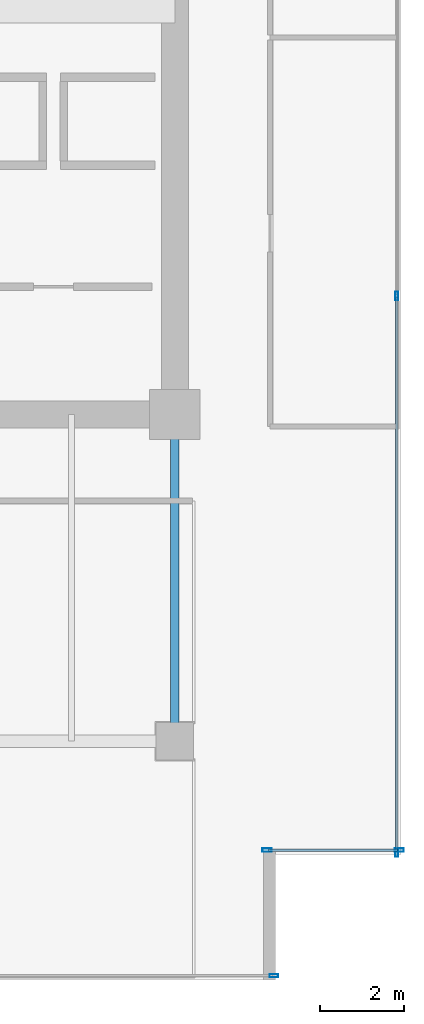
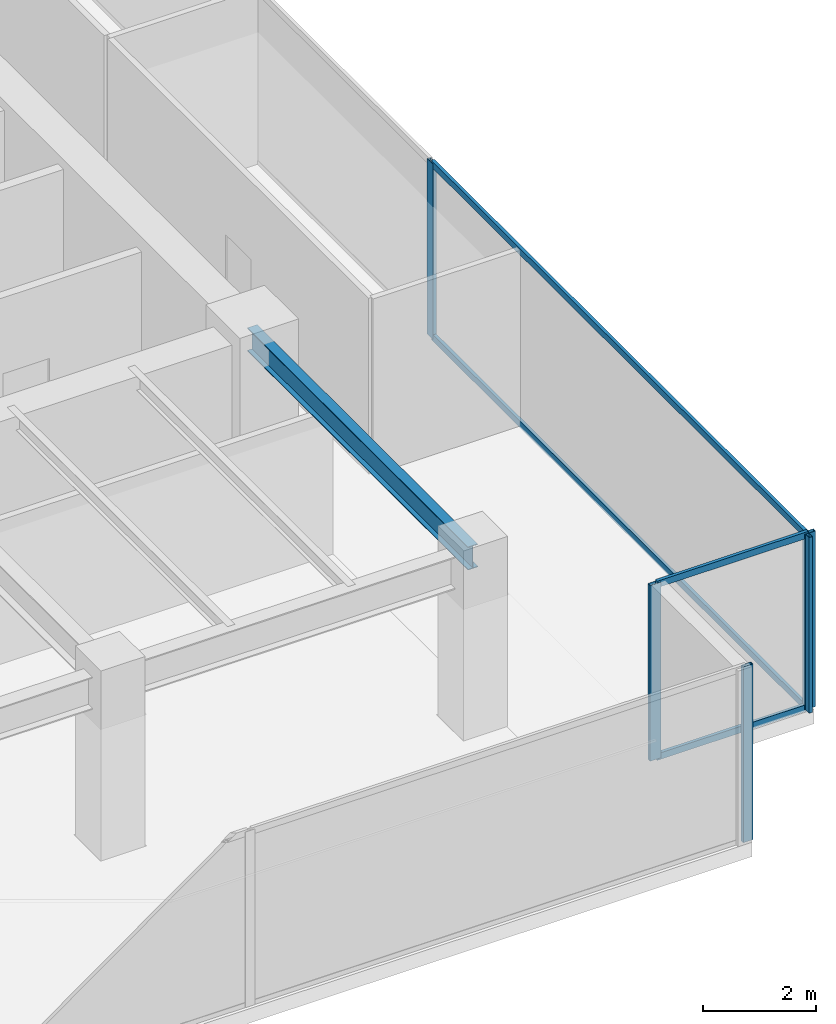
# One storey, part 21 of 33: 9 members, 1 beam, 3 elements without a shape of their own.
"""IFC4 building model written with IfcOpenShell, lengths in metres."""

from ifc_helpers import new_model, si_unit, direction, frame, origin, origin_2d, place, context, subcontext, project, spatial, hollow_rectangle, i_section, extrude, source, transform, mapped, material, layer, layer_set, material_profile, profile_set, type_object, type_shapes, element, aggregate, save


model = new_model("IFC4")

# Units and contexts
model_context = context("Model", 3, precision=1e-05, world=origin(), true_north=direction((0.0, 1.0)))
body_context = subcontext(model_context, "Body", "Model", "MODEL_VIEW")
ifc_project = project(units=[si_unit("LENGTHUNIT", "METRE"), si_unit("AREAUNIT", "SQUARE_METRE"), si_unit("VOLUMEUNIT", "CUBIC_METRE"), si_unit("PLANEANGLEUNIT", "RADIAN"), si_unit("MASSUNIT", "GRAM", prefix="KILO")], contexts=[model_context])

# Site, building, storey
site_placement = place(None, origin())
site = spatial("IfcSite", under=ifc_project, at=site_placement, CompositionType="ELEMENT")
building_placement = place(site_placement, origin())
building = spatial("IfcBuilding", under=site, at=building_placement, Name="Haelvirn Gate Laboratories", CompositionType="ELEMENT")
storey_placement = place(building_placement, frame((0.0, 0.0, 137.89990234375)))
storey = spatial("IfcBuildingStorey", under=building, at=storey_placement, Name="L33", CompositionType="ELEMENT", Elevation=137.89990234375)

# Beam
ifc_material_1 = material(Name="Steel SM355", Category="steel")
ifc_material_profile_1 = material_profile(ifc_material_1, i_section(OverallWidth=0.199951171875, OverallDepth=0.5, WebThickness=0.010009765625, FlangeThickness=0.01611328125, at=origin_2d()), Name="H-500x200x10x16")
ifc_profile_set_1 = profile_set([ifc_material_profile_1], Name="Steel SM355")
beam_type = type_object("IfcBeamType", Name="BM-SP-500", PredefinedType="SPANDREL", material=ifc_profile_set_1)
shared_shape_1 = source(origin(), body_context, "Body", "SweptSolid", [
    extrude(i_section(OverallWidth=0.199951171875, OverallDepth=0.5, WebThickness=0.010009765625, FlangeThickness=0.01611328125, at=origin_2d()), origin(), (0.0, 0.0, 1.0), 7.800048828125),
])
type_shapes(beam_type, [shared_shape_1])
beam_placement = place(storey_placement, frame((67.39990234375, 7.0, 3.5400390625), z_axis=(0.0, 1.0, 0.0), x_axis=(-1.0, 0.0, 0.0)))
element("IfcBeam", 1, at=beam_placement, inside=storey, type_object=beam_type, Name="L33 Perimeter Spandrel X67.4 (7.0-14.8)", PredefinedType="SPANDREL", context=body_context, shape_type="MappedRepresentation", body=[
    mapped(shared_shape_1, transform((0.0, 0.0, 0.0), scale=1.0)),
])

# Curtain wall, members
ifc_material_2 = material(Name="Anodised bronze unitised aluminium & triple low-E glass", Category="aluminium")
ifc_layer_1 = layer(ifc_material_2, 0.181884765625, Name="CW-SYS-5")
ifc_layer_set_1 = layer_set([ifc_layer_1], Name="Anodised bronze unitised aluminium & triple low-E glass")
curtain_wall_type_1 = type_object("IfcCurtainWallType", Name="CW-SYS-5", PredefinedType="NOTDEFINED", material=ifc_layer_set_1)
curtain_wall_1_placement = place(storey_placement, origin())
curtain_wall_1 = element("IfcCurtainWall", 2, at=curtain_wall_1_placement, inside=storey, type_object=curtain_wall_type_1, Name="L33 Unitised Curtain Wall CW-L33-P0-E06-1", PredefinedType="NOTDEFINED")
ifc_material_3 = material(Name="Extruded aluminium 6063-T6 (anodised bronze)", Category="aluminium")
ifc_material_profile_2 = material_profile(ifc_material_3, hollow_rectangle(XDim=0.06494140625, YDim=0.139892578125, WallThickness=0.00390625, at=origin_2d()), Name="CWT-140x65x4")
ifc_profile_set_2 = profile_set([ifc_material_profile_2], Name="Extruded aluminium 6063-T6 (anodised bronze)")
member_type_1 = type_object("IfcMemberType", Name="CWT-T140", PredefinedType="USERDEFINED", material=ifc_profile_set_2)
shared_shape_2 = source(origin(), body_context, "Body", "SweptSolid", [
    extrude(hollow_rectangle(XDim=0.06494140625, YDim=0.139892578125, WallThickness=0.00390625, at=origin_2d()), origin(), (0.0, 0.0, 1.0), 3.080078125),
])
member_1_placement = place(storey_placement, frame((69.639892578125, 4.39990234375, 0.03271484375), z_axis=(1.0, 0.0, 0.0), x_axis=(0.0, 1.0, 0.0)))
member_1 = element("IfcMember", 3, at=member_1_placement, type_object=member_type_1, Name="CW5 transom 1.1", ObjectType="TRANSOM", PredefinedType="USERDEFINED", context=body_context, shape_type="MappedRepresentation", body=[
    mapped(shared_shape_2, transform((0.0, 0.0, 0.0), scale=1.0)),
])
member_2_placement = place(storey_placement, frame((69.639892578125, 4.39990234375, 3.757568359375), z_axis=(1.0, 0.0, 0.0), x_axis=(0.0, 1.0, 0.0)))
member_2 = element("IfcMember", 4, at=member_2_placement, type_object=member_type_1, Name="CW5 transom 1.2", ObjectType="TRANSOM", PredefinedType="USERDEFINED", context=body_context, shape_type="MappedRepresentation", body=[
    mapped(shared_shape_2, transform((0.0, 0.0, 0.0), scale=1.0)),
])

ifc_layer_2 = layer(ifc_material_2, 0.179931640625, Name="CW-SYS-3")
ifc_layer_set_2 = layer_set([ifc_layer_2], Name="Anodised bronze unitised aluminium & triple low-E glass")
curtain_wall_type_2 = type_object("IfcCurtainWallType", Name="CW-SYS-3", PredefinedType="NOTDEFINED", material=ifc_layer_set_2)
curtain_wall_2_placement = place(storey_placement, origin())
curtain_wall_2 = element("IfcCurtainWall", 5, at=curtain_wall_2_placement, inside=storey, type_object=curtain_wall_type_2, Name="L33 Unitised Curtain Wall CW-L33-P0-E07", PredefinedType="NOTDEFINED")
shared_shape_3 = source(origin(), body_context, "Body", "SweptSolid", [
    extrude(hollow_rectangle(XDim=0.06494140625, YDim=0.139892578125, WallThickness=0.00390625, at=origin_2d()), origin(), (0.0, 0.0, 1.0), 13.220947265625),
])
type_shapes(member_type_1, [shared_shape_2, shared_shape_3])
member_3_placement = place(storey_placement, frame((72.699951171875, 4.375, 0.03271484375), z_axis=(0.0, 1.0, 0.0), x_axis=(-1.0, 0.0, 0.0)))
member_3 = element("IfcMember", 6, at=member_3_placement, type_object=member_type_1, Name="CW3 transom 1.1", ObjectType="TRANSOM", PredefinedType="USERDEFINED", context=body_context, shape_type="MappedRepresentation", body=[
    mapped(shared_shape_3, transform((0.0, 0.0, 0.0), scale=1.0)),
])
member_4_placement = place(storey_placement, frame((72.699951171875, 4.375, 3.757568359375), z_axis=(0.0, 1.0, 0.0), x_axis=(-1.0, 0.0, 0.0)))
member_4 = element("IfcMember", 7, at=member_4_placement, type_object=member_type_1, Name="CW3 transom 1.2", ObjectType="TRANSOM", PredefinedType="USERDEFINED", context=body_context, shape_type="MappedRepresentation", body=[
    mapped(shared_shape_3, transform((0.0, 0.0, 0.0), scale=1.0)),
])

# Curtain wall, member
curtain_wall_3_placement = place(storey_placement, origin())
curtain_wall_3 = element("IfcCurtainWall", 8, at=curtain_wall_3_placement, inside=storey, type_object=curtain_wall_type_2, Name="L33 Unitised Curtain Wall CW-L33-P0-E04-1", PredefinedType="NOTDEFINED")
ifc_material_profile_3 = material_profile(ifc_material_3, hollow_rectangle(XDim=0.074951171875, YDim=0.199951171875, WallThickness=0.0048828125, at=origin_2d()), Name="CWM-200x75x5")
ifc_profile_set_3 = profile_set([ifc_material_profile_3], Name="Extruded aluminium 6063-T6 (anodised bronze)")
member_type_2 = type_object("IfcMemberType", Name="CWM-T200", PredefinedType="MULLION", material=ifc_profile_set_3)
shared_shape_4 = source(origin(), body_context, "Body", "SweptSolid", [
    extrude(hollow_rectangle(XDim=0.074951171875, YDim=0.199951171875, WallThickness=0.0048828125, at=origin_2d()), origin(), (0.0, 0.0, 1.0), 3.7900390625),
])
type_shapes(member_type_2, [shared_shape_4])
member_5_placement = place(storey_placement, frame((69.762451171875, 1.39990234375, 0.0), z_axis=(0.0, 0.0, 1.0), x_axis=(0.0, 1.0, 0.0)))
member_5 = element("IfcMember", 9, at=member_5_placement, type_object=member_type_2, Name="CW3 mullion 3", PredefinedType="MULLION", context=body_context, shape_type="MappedRepresentation", body=[
    mapped(shared_shape_4, transform((0.0, 0.0, 0.0), scale=1.0)),
])
aggregate(curtain_wall_3, [member_5])

# Member
member_6_placement = place(storey_placement, frame((72.699951171875, 4.33740234375, 0.0), z_axis=(0.0, 0.0, 1.0), x_axis=(-1.0, 0.0, 0.0)))
member_6 = element("IfcMember", 10, at=member_6_placement, type_object=member_type_2, Name="CW3 mullion 1", PredefinedType="MULLION", context=body_context, shape_type="MappedRepresentation", body=[
    mapped(shared_shape_4, transform((0.0, 0.0, 0.0), scale=1.0)),
])

member_7_placement = place(storey_placement, frame((72.699951171875, 17.63330078125, 0.0), z_axis=(0.0, 0.0, 1.0), x_axis=(-1.0, 0.0, 0.0)))
member_7 = element("IfcMember", 11, at=member_7_placement, type_object=member_type_2, Name="CW3 mullion 2", PredefinedType="MULLION", context=body_context, shape_type="MappedRepresentation", body=[
    mapped(shared_shape_4, transform((0.0, 0.0, 0.0), scale=1.0)),
])

aggregate(curtain_wall_2, [member_6, member_7, member_3, member_4])

ifc_material_profile_4 = material_profile(ifc_material_3, hollow_rectangle(XDim=0.080078125, YDim=0.219970703125, WallThickness=0.006103515625, at=origin_2d()), Name="CWM-220x80x6")
ifc_profile_set_4 = profile_set([ifc_material_profile_4], Name="Extruded aluminium 6063-T6 (anodised bronze)")
member_type_3 = type_object("IfcMemberType", Name="CWM-T220", PredefinedType="MULLION", material=ifc_profile_set_4)
shared_shape_5 = source(origin(), body_context, "Body", "SweptSolid", [
    extrude(hollow_rectangle(XDim=0.080078125, YDim=0.219970703125, WallThickness=0.006103515625, at=origin_2d()), origin(), (0.0, 0.0, 1.0), 3.7900390625),
])
type_shapes(member_type_3, [shared_shape_5])
member_8_placement = place(storey_placement, frame((69.60009765625, 4.39990234375, 0.0), z_axis=(0.0, 0.0, 1.0), x_axis=(0.0, 1.0, 0.0)))
member_8 = element("IfcMember", 12, at=member_8_placement, type_object=member_type_3, Name="CW5 mullion 1", PredefinedType="MULLION", context=body_context, shape_type="MappedRepresentation", body=[
    mapped(shared_shape_5, transform((0.0, 0.0, 0.0), scale=1.0)),
])

member_9_placement = place(storey_placement, frame((72.760009765625, 4.39990234375, 0.0), z_axis=(0.0, 0.0, 1.0), x_axis=(0.0, 1.0, 0.0)))
member_9 = element("IfcMember", 13, at=member_9_placement, type_object=member_type_3, Name="CW5 mullion 2", PredefinedType="MULLION", context=body_context, shape_type="MappedRepresentation", body=[
    mapped(shared_shape_5, transform((0.0, 0.0, 0.0), scale=1.0)),
])

aggregate(curtain_wall_1, [member_8, member_9, member_1, member_2])

save(model, "model.ifc")
